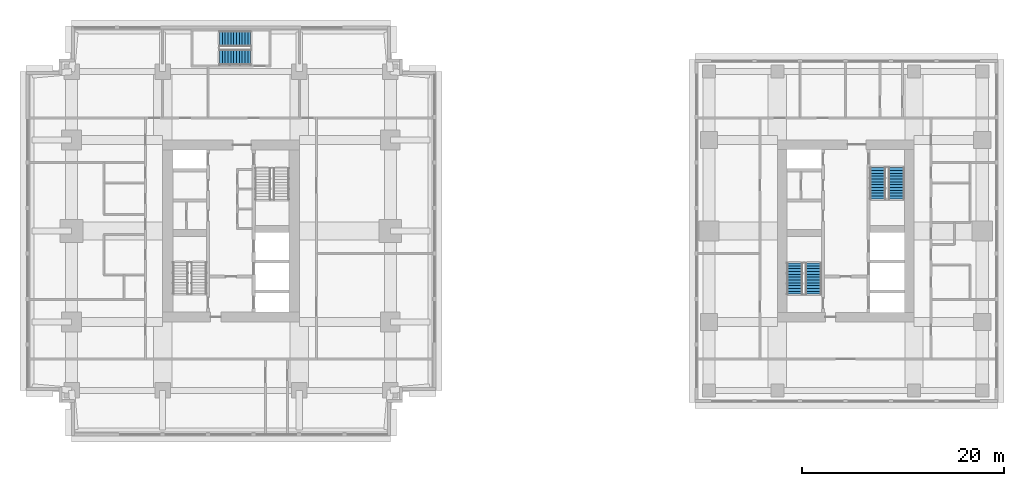
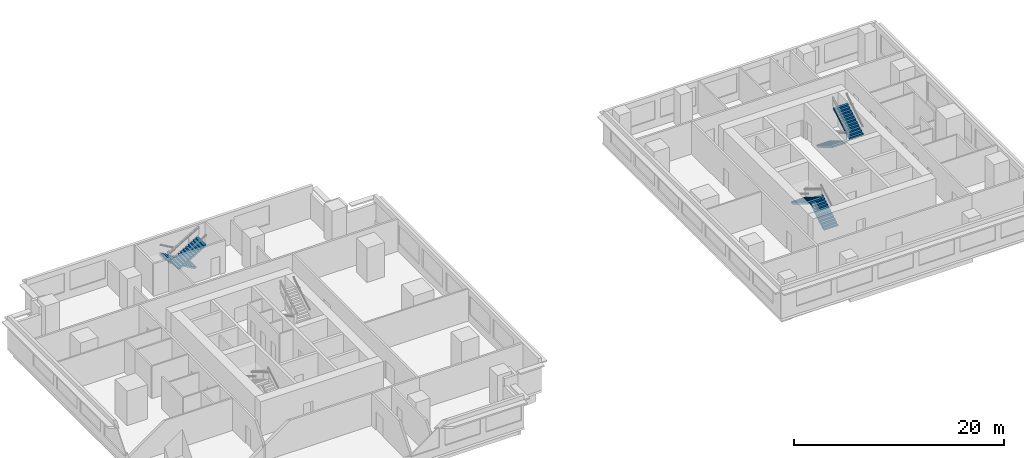
# One storey, part 9 of 11: 6 stair flights, 3 elements without a shape of their own.
"""IFC4 building model written with IfcOpenShell, lengths in metres."""

from ifc_helpers import new_model, si_unit, direction, frame, origin, place, context, subcontext, project, spatial, polyline, outline, extrude, material, type_object, element, aggregate, save


model = new_model("IFC4")

# Units and contexts
model_context = context("Model", 3, precision=1e-05, world=origin(), true_north=direction((0.0, 1.0)))
body_context = subcontext(model_context, "Body", "Model", "MODEL_VIEW")
ifc_project = project(units=[si_unit("LENGTHUNIT", "METRE"), si_unit("AREAUNIT", "SQUARE_METRE"), si_unit("VOLUMEUNIT", "CUBIC_METRE"), si_unit("PLANEANGLEUNIT", "RADIAN"), si_unit("MASSUNIT", "GRAM", prefix="KILO")], contexts=[model_context])

# Site, building, storey
site_placement = place(None, origin())
site = spatial("IfcSite", under=ifc_project, at=site_placement, CompositionType="ELEMENT")
building_placement = place(site_placement, origin())
building = spatial("IfcBuilding", under=site, at=building_placement, Name="Namib Vertical Campus", CompositionType="ELEMENT")
storey_placement = place(building_placement, frame((0.0, 0.0, 213.0)))
storey = spatial("IfcBuildingStorey", under=building, at=storey_placement, Name="L50", CompositionType="ELEMENT", Elevation=213.0)

# Stair, stair flights
ifc_material_1 = material(Name="Concrete C40/50 precast", Category="concrete")
stair_type_1 = type_object("IfcStairType", Name="Exit stair 4000 rise 24 risers 3350 wide", PredefinedType="HALF_TURN_STAIR", material=ifc_material_1)
stair_1_placement = place(storey_placement, origin())
stair_1 = element("IfcStair", 1, at=stair_1_placement, inside=storey, type_object=stair_type_1, Name="Exit stair A-S3 L50", PredefinedType="HALF_TURN_STAIR")
ifc_material_2 = material(Name="Concrete C40/50 precast", Category="concrete")
stair_flight_type_1 = type_object("IfcStairFlightType", Name="Stair flight 12 risers 167 1525 wide", PredefinedType="STRAIGHT", material=ifc_material_2)
stair_flight_1_placement = place(storey_placement, frame((22.199951171875, 39.237548828125, 0.0), z_axis=(0.0, 0.0, 1.0), x_axis=(-1.0, 0.0, 0.0)))
stair_flight_1 = element("IfcStairFlight", 2, at=stair_flight_1_placement, type_object=stair_flight_type_1, Name="A-S3 flight 1", NumberOfRisers=12, NumberOfTreads=11, PredefinedType="STRAIGHT", RiserHeight=0.166666667, TreadLength=0.28, context=body_context, shape_type="SweptSolid", body=[
    extrude(outline(polyline([(0.0, 0.0), (0.0, 0.166748046875), (0.280029296875, 0.166748046875), (0.280029296875, 0.333251953125), (0.56005859375, 0.333251953125), (0.56005859375, 0.5), (0.840087890625, 0.5), (0.840087890625, 0.666748046875), (1.1201171875, 0.666748046875), (1.1201171875, 0.833251953125), (1.39990234375, 0.833251953125), (1.39990234375, 1.0), (1.679931640625, 1.0), (1.679931640625, 1.166748046875), (1.9599609375, 1.166748046875), (1.9599609375, 1.333251953125), (2.239990234375, 1.333251953125), (2.239990234375, 1.5), (2.52001953125, 1.5), (2.52001953125, 1.666748046875), (2.800048828125, 1.666748046875), (2.800048828125, 1.833251953125), (3.080078125, 1.833251953125), (3.080078125, 2.0), (3.080078125, 1.658935546875), (0.29296875, 0.0), (0.0, 0.0)])), frame((0.0, 0.762451171875, 0.0), z_axis=(0.0, -1.0, 0.0), x_axis=(1.0, 0.0, 0.0)), (0.0, 0.0, 1.0), 1.52490234375),
])
stair_flight_2_placement = place(storey_placement, frame((19.1201171875, 37.41259765625, 2.0), z_axis=(0.0, 0.0, 1.0), x_axis=(1.0, 0.0, 0.0)))
stair_flight_2 = element("IfcStairFlight", 3, at=stair_flight_2_placement, type_object=stair_flight_type_1, Name="A-S3 flight 2", NumberOfRisers=12, NumberOfTreads=11, PredefinedType="STRAIGHT", RiserHeight=0.166666667, TreadLength=0.28, context=body_context, shape_type="SweptSolid", body=[
    extrude(outline(polyline([(0.0, 0.0), (0.0, 0.166748046875), (0.280029296875, 0.166748046875), (0.280029296875, 0.333251953125), (0.56005859375, 0.333251953125), (0.56005859375, 0.5), (0.840087890625, 0.5), (0.840087890625, 0.666748046875), (1.1201171875, 0.666748046875), (1.1201171875, 0.833251953125), (1.39990234375, 0.833251953125), (1.39990234375, 1.0), (1.679931640625, 1.0), (1.679931640625, 1.166748046875), (1.9599609375, 1.166748046875), (1.9599609375, 1.333251953125), (2.239990234375, 1.333251953125), (2.239990234375, 1.5), (2.52001953125, 1.5), (2.52001953125, 1.666748046875), (2.800048828125, 1.666748046875), (2.800048828125, 1.833251953125), (3.080078125, 1.833251953125), (3.080078125, 2.0), (3.080078125, 1.658935546875), (0.29296875, 0.0), (0.0, 0.0)])), frame((0.0, 0.762451171875, 0.0), z_axis=(0.0, -1.0, 0.0), x_axis=(1.0, 0.0, 0.0)), (0.0, 0.0, 1.0), 1.52490234375),
])
aggregate(stair_1, [stair_flight_1, stair_flight_2])

ifc_material_3 = material(Name="Concrete C40/50 precast", Category="concrete")
stair_type_2 = type_object("IfcStairType", Name="Exit stair 4000 rise 24 risers 3400 wide", PredefinedType="HALF_TURN_STAIR", material=ifc_material_3)
stair_2_placement = place(storey_placement, origin())
stair_2 = element("IfcStair", 4, at=stair_2_placement, inside=storey, type_object=stair_type_2, Name="Exit stair B-S1 L50", PredefinedType="HALF_TURN_STAIR")
ifc_material_4 = material(Name="Concrete C40/50 precast", Category="concrete")
stair_flight_type_2 = type_object("IfcStairFlightType", Name="Stair flight 12 risers 167 1550 wide", PredefinedType="STRAIGHT", material=ifc_material_4)
stair_flight_3_placement = place(storey_placement, frame((77.824951171875, 14.0, 0.0), z_axis=(0.0, 0.0, 1.0), x_axis=(0.0, 1.0, 0.0)))
stair_flight_3 = element("IfcStairFlight", 5, at=stair_flight_3_placement, type_object=stair_flight_type_2, Name="B-S1 flight 1", NumberOfRisers=12, NumberOfTreads=11, PredefinedType="STRAIGHT", RiserHeight=0.166666667, TreadLength=0.28, context=body_context, shape_type="SweptSolid", body=[
    extrude(outline(polyline([(0.0, 0.0), (0.0, 0.166748046875), (0.280029296875, 0.166748046875), (0.280029296875, 0.333251953125), (0.56005859375, 0.333251953125), (0.56005859375, 0.5), (0.840087890625, 0.5), (0.840087890625, 0.666748046875), (1.1201171875, 0.666748046875), (1.1201171875, 0.833251953125), (1.39990234375, 0.833251953125), (1.39990234375, 1.0), (1.679931640625, 1.0), (1.679931640625, 1.166748046875), (1.9599609375, 1.166748046875), (1.9599609375, 1.333251953125), (2.239990234375, 1.333251953125), (2.239990234375, 1.5), (2.52001953125, 1.5), (2.52001953125, 1.666748046875), (2.800048828125, 1.666748046875), (2.800048828125, 1.833251953125), (3.080078125, 1.833251953125), (3.080078125, 2.0), (3.080078125, 1.658935546875), (0.29296875, 0.0), (0.0, 0.0)])), frame((0.0, 0.77490234375, 0.0), z_axis=(0.0, -1.0, 0.0), x_axis=(1.0, 0.0, 0.0)), (0.0, 0.0, 1.0), 1.550048828125),
])
stair_flight_4_placement = place(storey_placement, frame((75.97509765625, 17.080078125, 2.0), z_axis=(0.0, 0.0, 1.0), x_axis=(0.0, -1.0, 0.0)))
stair_flight_4 = element("IfcStairFlight", 6, at=stair_flight_4_placement, type_object=stair_flight_type_2, Name="B-S1 flight 2", NumberOfRisers=12, NumberOfTreads=11, PredefinedType="STRAIGHT", RiserHeight=0.166666667, TreadLength=0.28, context=body_context, shape_type="SweptSolid", body=[
    extrude(outline(polyline([(0.0, 0.0), (0.0, 0.166748046875), (0.280029296875, 0.166748046875), (0.280029296875, 0.333251953125), (0.56005859375, 0.333251953125), (0.56005859375, 0.5), (0.840087890625, 0.5), (0.840087890625, 0.666748046875), (1.1201171875, 0.666748046875), (1.1201171875, 0.833251953125), (1.39990234375, 0.833251953125), (1.39990234375, 1.0), (1.679931640625, 1.0), (1.679931640625, 1.166748046875), (1.9599609375, 1.166748046875), (1.9599609375, 1.333251953125), (2.239990234375, 1.333251953125), (2.239990234375, 1.5), (2.52001953125, 1.5), (2.52001953125, 1.666748046875), (2.800048828125, 1.666748046875), (2.800048828125, 1.833251953125), (3.080078125, 1.833251953125), (3.080078125, 2.0), (3.080078125, 1.658935546875), (0.29296875, 0.0), (0.0, 0.0)])), frame((0.0, 0.77490234375, 0.0), z_axis=(0.0, -1.0, 0.0), x_axis=(1.0, 0.0, 0.0)), (0.0, 0.0, 1.0), 1.550048828125),
])
aggregate(stair_2, [stair_flight_3, stair_flight_4])

stair_3_placement = place(storey_placement, origin())
stair_3 = element("IfcStair", 7, at=stair_3_placement, inside=storey, type_object=stair_type_2, Name="Exit stair B-S2 L50", PredefinedType="HALF_TURN_STAIR")
stair_flight_5_placement = place(storey_placement, frame((84.175048828125, 26.5, 0.0), z_axis=(0.0, 0.0, 1.0), x_axis=(0.0, -1.0, 0.0)))
stair_flight_5 = element("IfcStairFlight", 8, at=stair_flight_5_placement, type_object=stair_flight_type_2, Name="B-S2 flight 1", NumberOfRisers=12, NumberOfTreads=11, PredefinedType="STRAIGHT", RiserHeight=0.166666667, TreadLength=0.28, context=body_context, shape_type="SweptSolid", body=[
    extrude(outline(polyline([(0.0, 0.0), (0.0, 0.166748046875), (0.280029296875, 0.166748046875), (0.280029296875, 0.333251953125), (0.56005859375, 0.333251953125), (0.56005859375, 0.5), (0.840087890625, 0.5), (0.840087890625, 0.666748046875), (1.1201171875, 0.666748046875), (1.1201171875, 0.833251953125), (1.39990234375, 0.833251953125), (1.39990234375, 1.0), (1.679931640625, 1.0), (1.679931640625, 1.166748046875), (1.9599609375, 1.166748046875), (1.9599609375, 1.333251953125), (2.239990234375, 1.333251953125), (2.239990234375, 1.5), (2.52001953125, 1.5), (2.52001953125, 1.666748046875), (2.800048828125, 1.666748046875), (2.800048828125, 1.833251953125), (3.080078125, 1.833251953125), (3.080078125, 2.0), (3.080078125, 1.658935546875), (0.29296875, 0.0), (0.0, 0.0)])), frame((0.0, 0.77490234375, 0.0), z_axis=(0.0, -1.0, 0.0), x_axis=(1.0, 0.0, 0.0)), (0.0, 0.0, 1.0), 1.550048828125),
])
stair_flight_6_placement = place(storey_placement, frame((86.02490234375, 23.419921875, 2.0), z_axis=(0.0, 0.0, 1.0), x_axis=(0.0, 1.0, 0.0)))
stair_flight_6 = element("IfcStairFlight", 9, at=stair_flight_6_placement, type_object=stair_flight_type_2, Name="B-S2 flight 2", NumberOfRisers=12, NumberOfTreads=11, PredefinedType="STRAIGHT", RiserHeight=0.166666667, TreadLength=0.28, context=body_context, shape_type="SweptSolid", body=[
    extrude(outline(polyline([(0.0, 0.0), (0.0, 0.166748046875), (0.280029296875, 0.166748046875), (0.280029296875, 0.333251953125), (0.56005859375, 0.333251953125), (0.56005859375, 0.5), (0.840087890625, 0.5), (0.840087890625, 0.666748046875), (1.1201171875, 0.666748046875), (1.1201171875, 0.833251953125), (1.39990234375, 0.833251953125), (1.39990234375, 1.0), (1.679931640625, 1.0), (1.679931640625, 1.166748046875), (1.9599609375, 1.166748046875), (1.9599609375, 1.333251953125), (2.239990234375, 1.333251953125), (2.239990234375, 1.5), (2.52001953125, 1.5), (2.52001953125, 1.666748046875), (2.800048828125, 1.666748046875), (2.800048828125, 1.833251953125), (3.080078125, 1.833251953125), (3.080078125, 2.0), (3.080078125, 1.658935546875), (0.29296875, 0.0), (0.0, 0.0)])), frame((0.0, 0.77490234375, 0.0), z_axis=(0.0, -1.0, 0.0), x_axis=(1.0, 0.0, 0.0)), (0.0, 0.0, 1.0), 1.550048828125),
])
aggregate(stair_3, [stair_flight_5, stair_flight_6])

save(model, "model.ifc")
